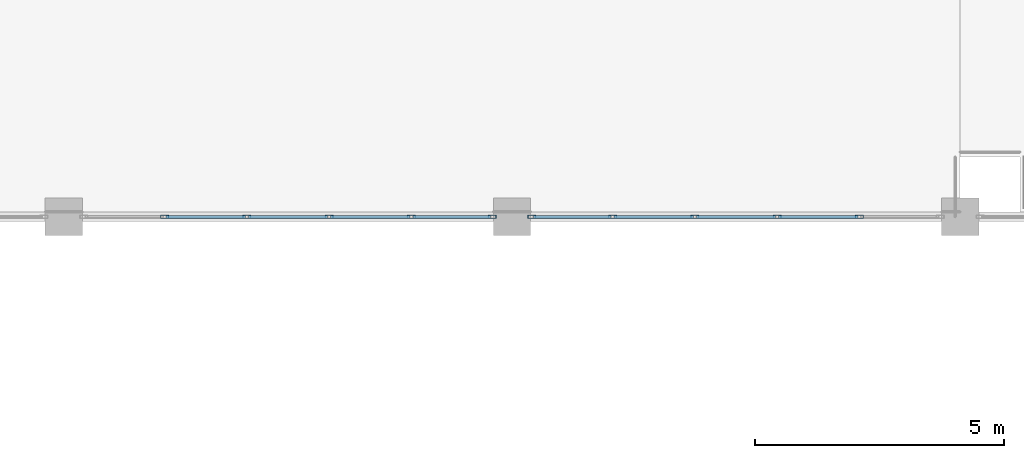
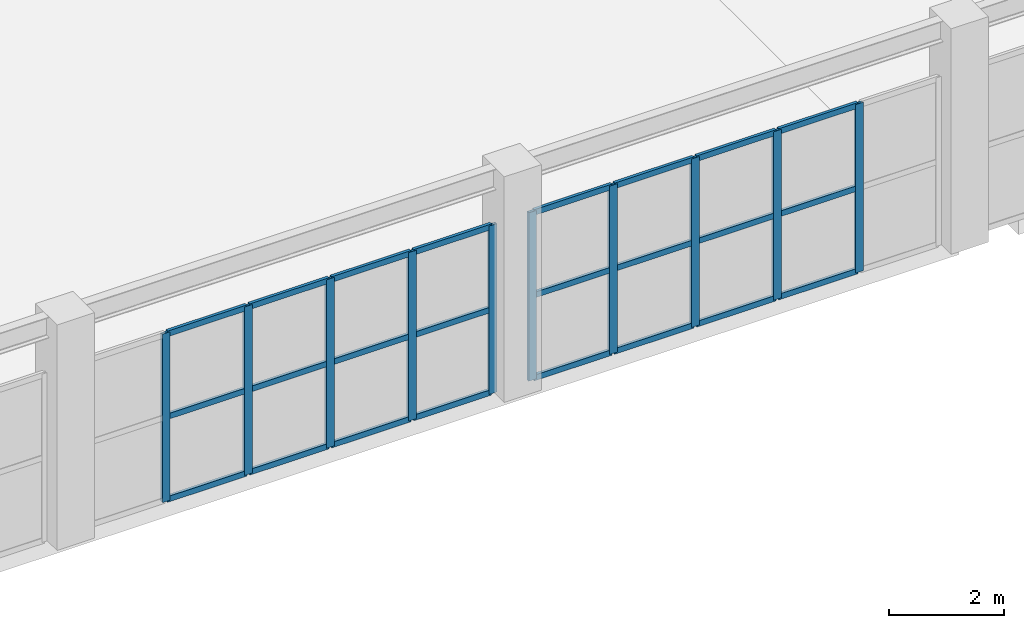
# One storey, part 6 of 89: 34 members, 2 elements without a shape of their own.
"""IFC4 building model written with IfcOpenShell, lengths in metres."""

from ifc_helpers import new_model, si_unit, direction, frame, origin, origin_2d, place, context, subcontext, project, spatial, hollow_rectangle, extrude, material, layer, layer_set, material_profile, profile_set, type_object, element, aggregate, save


model = new_model("IFC4")

# Units and contexts
model_context = context("Model", 3, precision=1e-05, world=origin(), true_north=direction((0.0, 1.0)))
body_context = subcontext(model_context, "Body", "Model", "MODEL_VIEW")
ifc_project = project(units=[si_unit("LENGTHUNIT", "METRE"), si_unit("AREAUNIT", "SQUARE_METRE"), si_unit("VOLUMEUNIT", "CUBIC_METRE"), si_unit("PLANEANGLEUNIT", "RADIAN"), si_unit("MASSUNIT", "GRAM", prefix="KILO")], contexts=[model_context])

# Site, building, storey
site_placement = place(None, origin())
site = spatial("IfcSite", under=ifc_project, at=site_placement, CompositionType="ELEMENT")
building_placement = place(site_placement, origin())
building = spatial("IfcBuilding", under=site, at=building_placement, Name="Dornveld Trade and Exhibition Forum", CompositionType="ELEMENT")
storey_placement = place(building_placement, frame((0.0, 0.0, 12.0)))
storey = spatial("IfcBuildingStorey", under=building, at=storey_placement, Name="L02", CompositionType="ELEMENT", Elevation=12.0)

# Curtain wall, members
ifc_material_1 = material(Name="Dark-bronze anodised aluminium and low-E glass", Category="aluminium")
ifc_layer_1 = layer(ifc_material_1, 0.15087890625)
ifc_layer_set_1 = layer_set([ifc_layer_1], Name="Dark-bronze anodised aluminium and low-E glass")
curtain_wall_type_1 = type_object("IfcCurtainWallType", Name="CW-SYS-03", PredefinedType="USERDEFINED", material=ifc_layer_set_1)
curtain_wall_1_placement = place(storey_placement, origin())
curtain_wall_1 = element("IfcCurtainWall", 1, at=curtain_wall_1_placement, inside=storey, type_object=curtain_wall_type_1, Name="L02 unitised curtain wall 21", ObjectType="UNITISED_CURTAIN_WALL", PredefinedType="USERDEFINED")
ifc_material_2 = material(Name="Dark-bronze anodised aluminium", Category="aluminium")
ifc_material_profile_1 = material_profile(ifc_material_2, hollow_rectangle(XDim=0.06005859375, YDim=0.159912109375, WallThickness=0.00390625, at=origin_2d()), Name="RHS 160x60x4")
ifc_profile_set_1 = profile_set([ifc_material_profile_1], Name="Dark-bronze anodised aluminium")
member_type_1 = type_object("IfcMemberType", Name="CW-MUL-160", PredefinedType="MULLION", material=ifc_profile_set_1)
member_1_placement = place(storey_placement, frame((38.022705078125, 36.0, -0.00390625), z_axis=(0.0, 0.0, 1.0), x_axis=(0.0, 1.0, 0.0)))
member_1 = element("IfcMember", 2, at=member_1_placement, type_object=member_type_1, Name="CW-03 mullion 2", PredefinedType="MULLION", context=body_context, shape_type="SweptSolid", body=[
    extrude(hollow_rectangle(XDim=0.06005859375, YDim=0.159912109375, WallThickness=0.00390625, at=origin_2d()), origin(), (0.0, 0.0, 1.0), 3.583984375),
])
member_2_placement = place(storey_placement, frame((39.67431640625, 36.0, -0.00390625), z_axis=(0.0, 0.0, 1.0), x_axis=(0.0, 1.0, 0.0)))
member_2 = element("IfcMember", 3, at=member_2_placement, type_object=member_type_1, Name="CW-03 mullion 3", PredefinedType="MULLION", context=body_context, shape_type="SweptSolid", body=[
    extrude(hollow_rectangle(XDim=0.06005859375, YDim=0.159912109375, WallThickness=0.00390625, at=origin_2d()), origin(), (0.0, 0.0, 1.0), 3.583984375),
])
member_3_placement = place(storey_placement, frame((41.32568359375, 36.0, -0.00390625), z_axis=(0.0, 0.0, 1.0), x_axis=(0.0, 1.0, 0.0)))
member_3 = element("IfcMember", 4, at=member_3_placement, type_object=member_type_1, Name="CW-03 mullion 4", PredefinedType="MULLION", context=body_context, shape_type="SweptSolid", body=[
    extrude(hollow_rectangle(XDim=0.06005859375, YDim=0.159912109375, WallThickness=0.00390625, at=origin_2d()), origin(), (0.0, 0.0, 1.0), 3.583984375),
])
member_4_placement = place(storey_placement, frame((42.977294921875, 36.0, -0.00390625), z_axis=(0.0, 0.0, 1.0), x_axis=(0.0, 1.0, 0.0)))
member_4 = element("IfcMember", 5, at=member_4_placement, type_object=member_type_1, Name="CW-03 mullion 5", PredefinedType="MULLION", context=body_context, shape_type="SweptSolid", body=[
    extrude(hollow_rectangle(XDim=0.06005859375, YDim=0.159912109375, WallThickness=0.00390625, at=origin_2d()), origin(), (0.0, 0.0, 1.0), 3.583984375),
])
member_5_placement = place(storey_placement, frame((44.59912109375, 36.0, -0.00390625), z_axis=(0.0, 0.0, 1.0), x_axis=(0.0, 1.0, 0.0)))
member_5 = element("IfcMember", 6, at=member_5_placement, type_object=member_type_1, Name="CW-03 mullion 6", PredefinedType="MULLION", context=body_context, shape_type="SweptSolid", body=[
    extrude(hollow_rectangle(XDim=0.06005859375, YDim=0.159912109375, WallThickness=0.00390625, at=origin_2d()), origin(), (0.0, 0.0, 1.0), 3.583984375),
])

ifc_material_3 = material(Name="Dark-bronze anodised aluminium and low-E glass", Category="aluminium")
ifc_layer_2 = layer(ifc_material_3, 0.156982421875)
ifc_layer_set_2 = layer_set([ifc_layer_2], Name="Dark-bronze anodised aluminium and low-E glass")
curtain_wall_type_2 = type_object("IfcCurtainWallType", Name="CW-SYS-05", PredefinedType="USERDEFINED", material=ifc_layer_set_2)
curtain_wall_2_placement = place(storey_placement, origin())
curtain_wall_2 = element("IfcCurtainWall", 7, at=curtain_wall_2_placement, inside=storey, type_object=curtain_wall_type_2, Name="L02 unitised curtain wall 23", ObjectType="UNITISED_CURTAIN_WALL", PredefinedType="USERDEFINED")
member_6_placement = place(storey_placement, frame((45.40087890625, 36.0, -0.00390625), z_axis=(0.0, 0.0, 1.0), x_axis=(0.0, 1.0, 0.0)))
member_6 = element("IfcMember", 8, at=member_6_placement, type_object=member_type_1, Name="CW-05 mullion 1", PredefinedType="MULLION", context=body_context, shape_type="SweptSolid", body=[
    extrude(hollow_rectangle(XDim=0.06005859375, YDim=0.159912109375, WallThickness=0.00390625, at=origin_2d()), origin(), (0.0, 0.0, 1.0), 3.583984375),
])
member_7_placement = place(storey_placement, frame((47.022705078125, 36.0, -0.00390625), z_axis=(0.0, 0.0, 1.0), x_axis=(0.0, 1.0, 0.0)))
member_7 = element("IfcMember", 9, at=member_7_placement, type_object=member_type_1, Name="CW-05 mullion 2", PredefinedType="MULLION", context=body_context, shape_type="SweptSolid", body=[
    extrude(hollow_rectangle(XDim=0.06005859375, YDim=0.159912109375, WallThickness=0.00390625, at=origin_2d()), origin(), (0.0, 0.0, 1.0), 3.583984375),
])
member_8_placement = place(storey_placement, frame((48.67431640625, 36.0, -0.00390625), z_axis=(0.0, 0.0, 1.0), x_axis=(0.0, 1.0, 0.0)))
member_8 = element("IfcMember", 10, at=member_8_placement, type_object=member_type_1, Name="CW-05 mullion 3", PredefinedType="MULLION", context=body_context, shape_type="SweptSolid", body=[
    extrude(hollow_rectangle(XDim=0.06005859375, YDim=0.159912109375, WallThickness=0.00390625, at=origin_2d()), origin(), (0.0, 0.0, 1.0), 3.583984375),
])
member_9_placement = place(storey_placement, frame((50.32568359375, 36.0, -0.00390625), z_axis=(0.0, 0.0, 1.0), x_axis=(0.0, 1.0, 0.0)))
member_9 = element("IfcMember", 11, at=member_9_placement, type_object=member_type_1, Name="CW-05 mullion 4", PredefinedType="MULLION", context=body_context, shape_type="SweptSolid", body=[
    extrude(hollow_rectangle(XDim=0.06005859375, YDim=0.159912109375, WallThickness=0.00390625, at=origin_2d()), origin(), (0.0, 0.0, 1.0), 3.583984375),
])
member_10_placement = place(storey_placement, frame((51.977294921875, 36.0, -0.00390625), z_axis=(0.0, 0.0, 1.0), x_axis=(0.0, 1.0, 0.0)))
member_10 = element("IfcMember", 12, at=member_10_placement, type_object=member_type_1, Name="CW-05 mullion 5", PredefinedType="MULLION", context=body_context, shape_type="SweptSolid", body=[
    extrude(hollow_rectangle(XDim=0.06005859375, YDim=0.159912109375, WallThickness=0.00390625, at=origin_2d()), origin(), (0.0, 0.0, 1.0), 3.583984375),
])

# Member
ifc_material_4 = material(Name="Dark-bronze anodised aluminium", Category="aluminium")
ifc_material_profile_2 = material_profile(ifc_material_4, hollow_rectangle(XDim=0.06005859375, YDim=0.1201171875, WallThickness=0.00390625, at=origin_2d()), Name="RHS 120x60x4")
ifc_profile_set_2 = profile_set([ifc_material_profile_2], Name="Dark-bronze anodised aluminium")
member_type_2 = type_object("IfcMemberType", Name="CW-TRN-120", PredefinedType="USERDEFINED", material=ifc_profile_set_2)
member_11_placement = place(storey_placement, frame((38.052490234375, 36.0, 0.02587890625), z_axis=(1.0, 0.0, 0.0), x_axis=(0.0, 1.0, 0.0)))
member_11 = element("IfcMember", 13, at=member_11_placement, type_object=member_type_2, Name="CW-03 transom 2.1", ObjectType="TRANSOM", PredefinedType="USERDEFINED", context=body_context, shape_type="SweptSolid", body=[
    extrude(hollow_rectangle(XDim=0.06005859375, YDim=0.1201171875, WallThickness=0.00390625, at=origin_2d()), origin(), (0.0, 0.0, 1.0), 1.591796875),
])

member_12_placement = place(storey_placement, frame((38.052490234375, 36.0, 1.7880859375), z_axis=(1.0, 0.0, 0.0), x_axis=(0.0, 1.0, 0.0)))
member_12 = element("IfcMember", 14, at=member_12_placement, type_object=member_type_2, Name="CW-03 transom 2.2", ObjectType="TRANSOM", PredefinedType="USERDEFINED", context=body_context, shape_type="SweptSolid", body=[
    extrude(hollow_rectangle(XDim=0.06005859375, YDim=0.1201171875, WallThickness=0.00390625, at=origin_2d()), origin(), (0.0, 0.0, 1.0), 1.591796875),
])

member_13_placement = place(storey_placement, frame((38.052490234375, 36.0, 3.550048828125), z_axis=(1.0, 0.0, 0.0), x_axis=(0.0, 1.0, 0.0)))
member_13 = element("IfcMember", 15, at=member_13_placement, type_object=member_type_2, Name="CW-03 transom 2.3", ObjectType="TRANSOM", PredefinedType="USERDEFINED", context=body_context, shape_type="SweptSolid", body=[
    extrude(hollow_rectangle(XDim=0.06005859375, YDim=0.1201171875, WallThickness=0.00390625, at=origin_2d()), origin(), (0.0, 0.0, 1.0), 1.591796875),
])

member_14_placement = place(storey_placement, frame((39.7041015625, 36.0, 0.02587890625), z_axis=(1.0, 0.0, 0.0), x_axis=(0.0, 1.0, 0.0)))
member_14 = element("IfcMember", 16, at=member_14_placement, type_object=member_type_2, Name="CW-03 transom 3.1", ObjectType="TRANSOM", PredefinedType="USERDEFINED", context=body_context, shape_type="SweptSolid", body=[
    extrude(hollow_rectangle(XDim=0.06005859375, YDim=0.1201171875, WallThickness=0.00390625, at=origin_2d()), origin(), (0.0, 0.0, 1.0), 1.591796875),
])

member_15_placement = place(storey_placement, frame((39.7041015625, 36.0, 1.7880859375), z_axis=(1.0, 0.0, 0.0), x_axis=(0.0, 1.0, 0.0)))
member_15 = element("IfcMember", 17, at=member_15_placement, type_object=member_type_2, Name="CW-03 transom 3.2", ObjectType="TRANSOM", PredefinedType="USERDEFINED", context=body_context, shape_type="SweptSolid", body=[
    extrude(hollow_rectangle(XDim=0.06005859375, YDim=0.1201171875, WallThickness=0.00390625, at=origin_2d()), origin(), (0.0, 0.0, 1.0), 1.591796875),
])

member_16_placement = place(storey_placement, frame((39.7041015625, 36.0, 3.550048828125), z_axis=(1.0, 0.0, 0.0), x_axis=(0.0, 1.0, 0.0)))
member_16 = element("IfcMember", 18, at=member_16_placement, type_object=member_type_2, Name="CW-03 transom 3.3", ObjectType="TRANSOM", PredefinedType="USERDEFINED", context=body_context, shape_type="SweptSolid", body=[
    extrude(hollow_rectangle(XDim=0.06005859375, YDim=0.1201171875, WallThickness=0.00390625, at=origin_2d()), origin(), (0.0, 0.0, 1.0), 1.591796875),
])

member_17_placement = place(storey_placement, frame((41.355712890625, 36.0, 0.02587890625), z_axis=(1.0, 0.0, 0.0), x_axis=(0.0, 1.0, 0.0)))
member_17 = element("IfcMember", 19, at=member_17_placement, type_object=member_type_2, Name="CW-03 transom 4.1", ObjectType="TRANSOM", PredefinedType="USERDEFINED", context=body_context, shape_type="SweptSolid", body=[
    extrude(hollow_rectangle(XDim=0.06005859375, YDim=0.1201171875, WallThickness=0.00390625, at=origin_2d()), origin(), (0.0, 0.0, 1.0), 1.591796875),
])

member_18_placement = place(storey_placement, frame((41.355712890625, 36.0, 1.7880859375), z_axis=(1.0, 0.0, 0.0), x_axis=(0.0, 1.0, 0.0)))
member_18 = element("IfcMember", 20, at=member_18_placement, type_object=member_type_2, Name="CW-03 transom 4.2", ObjectType="TRANSOM", PredefinedType="USERDEFINED", context=body_context, shape_type="SweptSolid", body=[
    extrude(hollow_rectangle(XDim=0.06005859375, YDim=0.1201171875, WallThickness=0.00390625, at=origin_2d()), origin(), (0.0, 0.0, 1.0), 1.591796875),
])

member_19_placement = place(storey_placement, frame((41.355712890625, 36.0, 3.550048828125), z_axis=(1.0, 0.0, 0.0), x_axis=(0.0, 1.0, 0.0)))
member_19 = element("IfcMember", 21, at=member_19_placement, type_object=member_type_2, Name="CW-03 transom 4.3", ObjectType="TRANSOM", PredefinedType="USERDEFINED", context=body_context, shape_type="SweptSolid", body=[
    extrude(hollow_rectangle(XDim=0.06005859375, YDim=0.1201171875, WallThickness=0.00390625, at=origin_2d()), origin(), (0.0, 0.0, 1.0), 1.591796875),
])

member_20_placement = place(storey_placement, frame((43.00732421875, 36.0, 0.02587890625), z_axis=(1.0, 0.0, 0.0), x_axis=(0.0, 1.0, 0.0)))
member_20 = element("IfcMember", 22, at=member_20_placement, type_object=member_type_2, Name="CW-03 transom 5.1", ObjectType="TRANSOM", PredefinedType="USERDEFINED", context=body_context, shape_type="SweptSolid", body=[
    extrude(hollow_rectangle(XDim=0.06005859375, YDim=0.1201171875, WallThickness=0.00390625, at=origin_2d()), origin(), (0.0, 0.0, 1.0), 1.561767578125),
])

member_21_placement = place(storey_placement, frame((43.00732421875, 36.0, 1.7880859375), z_axis=(1.0, 0.0, 0.0), x_axis=(0.0, 1.0, 0.0)))
member_21 = element("IfcMember", 23, at=member_21_placement, type_object=member_type_2, Name="CW-03 transom 5.2", ObjectType="TRANSOM", PredefinedType="USERDEFINED", context=body_context, shape_type="SweptSolid", body=[
    extrude(hollow_rectangle(XDim=0.06005859375, YDim=0.1201171875, WallThickness=0.00390625, at=origin_2d()), origin(), (0.0, 0.0, 1.0), 1.561767578125),
])

member_22_placement = place(storey_placement, frame((43.00732421875, 36.0, 3.550048828125), z_axis=(1.0, 0.0, 0.0), x_axis=(0.0, 1.0, 0.0)))
member_22 = element("IfcMember", 24, at=member_22_placement, type_object=member_type_2, Name="CW-03 transom 5.3", ObjectType="TRANSOM", PredefinedType="USERDEFINED", context=body_context, shape_type="SweptSolid", body=[
    extrude(hollow_rectangle(XDim=0.06005859375, YDim=0.1201171875, WallThickness=0.00390625, at=origin_2d()), origin(), (0.0, 0.0, 1.0), 1.561767578125),
])

aggregate(curtain_wall_1, [member_1, member_2, member_3, member_4, member_5, member_11, member_12, member_13, member_14, member_15, member_16, member_17, member_18, member_19, member_20, member_21, member_22])

member_23_placement = place(storey_placement, frame((45.430908203125, 36.0, 0.02587890625), z_axis=(1.0, 0.0, 0.0), x_axis=(0.0, 1.0, 0.0)))
member_23 = element("IfcMember", 25, at=member_23_placement, type_object=member_type_2, Name="CW-05 transom 1.1", ObjectType="TRANSOM", PredefinedType="USERDEFINED", context=body_context, shape_type="SweptSolid", body=[
    extrude(hollow_rectangle(XDim=0.06005859375, YDim=0.1201171875, WallThickness=0.00390625, at=origin_2d()), origin(), (0.0, 0.0, 1.0), 1.561767578125),
])

member_24_placement = place(storey_placement, frame((45.430908203125, 36.0, 1.7880859375), z_axis=(1.0, 0.0, 0.0), x_axis=(0.0, 1.0, 0.0)))
member_24 = element("IfcMember", 26, at=member_24_placement, type_object=member_type_2, Name="CW-05 transom 1.2", ObjectType="TRANSOM", PredefinedType="USERDEFINED", context=body_context, shape_type="SweptSolid", body=[
    extrude(hollow_rectangle(XDim=0.06005859375, YDim=0.1201171875, WallThickness=0.00390625, at=origin_2d()), origin(), (0.0, 0.0, 1.0), 1.561767578125),
])

member_25_placement = place(storey_placement, frame((45.430908203125, 36.0, 3.550048828125), z_axis=(1.0, 0.0, 0.0), x_axis=(0.0, 1.0, 0.0)))
member_25 = element("IfcMember", 27, at=member_25_placement, type_object=member_type_2, Name="CW-05 transom 1.3", ObjectType="TRANSOM", PredefinedType="USERDEFINED", context=body_context, shape_type="SweptSolid", body=[
    extrude(hollow_rectangle(XDim=0.06005859375, YDim=0.1201171875, WallThickness=0.00390625, at=origin_2d()), origin(), (0.0, 0.0, 1.0), 1.561767578125),
])

member_26_placement = place(storey_placement, frame((47.052490234375, 36.0, 0.02587890625), z_axis=(1.0, 0.0, 0.0), x_axis=(0.0, 1.0, 0.0)))
member_26 = element("IfcMember", 28, at=member_26_placement, type_object=member_type_2, Name="CW-05 transom 2.1", ObjectType="TRANSOM", PredefinedType="USERDEFINED", context=body_context, shape_type="SweptSolid", body=[
    extrude(hollow_rectangle(XDim=0.06005859375, YDim=0.1201171875, WallThickness=0.00390625, at=origin_2d()), origin(), (0.0, 0.0, 1.0), 1.591796875),
])

member_27_placement = place(storey_placement, frame((47.052490234375, 36.0, 1.7880859375), z_axis=(1.0, 0.0, 0.0), x_axis=(0.0, 1.0, 0.0)))
member_27 = element("IfcMember", 29, at=member_27_placement, type_object=member_type_2, Name="CW-05 transom 2.2", ObjectType="TRANSOM", PredefinedType="USERDEFINED", context=body_context, shape_type="SweptSolid", body=[
    extrude(hollow_rectangle(XDim=0.06005859375, YDim=0.1201171875, WallThickness=0.00390625, at=origin_2d()), origin(), (0.0, 0.0, 1.0), 1.591796875),
])

member_28_placement = place(storey_placement, frame((47.052490234375, 36.0, 3.550048828125), z_axis=(1.0, 0.0, 0.0), x_axis=(0.0, 1.0, 0.0)))
member_28 = element("IfcMember", 30, at=member_28_placement, type_object=member_type_2, Name="CW-05 transom 2.3", ObjectType="TRANSOM", PredefinedType="USERDEFINED", context=body_context, shape_type="SweptSolid", body=[
    extrude(hollow_rectangle(XDim=0.06005859375, YDim=0.1201171875, WallThickness=0.00390625, at=origin_2d()), origin(), (0.0, 0.0, 1.0), 1.591796875),
])

member_29_placement = place(storey_placement, frame((48.7041015625, 36.0, 0.02587890625), z_axis=(1.0, 0.0, 0.0), x_axis=(0.0, 1.0, 0.0)))
member_29 = element("IfcMember", 31, at=member_29_placement, type_object=member_type_2, Name="CW-05 transom 3.1", ObjectType="TRANSOM", PredefinedType="USERDEFINED", context=body_context, shape_type="SweptSolid", body=[
    extrude(hollow_rectangle(XDim=0.06005859375, YDim=0.1201171875, WallThickness=0.00390625, at=origin_2d()), origin(), (0.0, 0.0, 1.0), 1.591796875),
])

member_30_placement = place(storey_placement, frame((48.7041015625, 36.0, 1.7880859375), z_axis=(1.0, 0.0, 0.0), x_axis=(0.0, 1.0, 0.0)))
member_30 = element("IfcMember", 32, at=member_30_placement, type_object=member_type_2, Name="CW-05 transom 3.2", ObjectType="TRANSOM", PredefinedType="USERDEFINED", context=body_context, shape_type="SweptSolid", body=[
    extrude(hollow_rectangle(XDim=0.06005859375, YDim=0.1201171875, WallThickness=0.00390625, at=origin_2d()), origin(), (0.0, 0.0, 1.0), 1.591796875),
])

member_31_placement = place(storey_placement, frame((48.7041015625, 36.0, 3.550048828125), z_axis=(1.0, 0.0, 0.0), x_axis=(0.0, 1.0, 0.0)))
member_31 = element("IfcMember", 33, at=member_31_placement, type_object=member_type_2, Name="CW-05 transom 3.3", ObjectType="TRANSOM", PredefinedType="USERDEFINED", context=body_context, shape_type="SweptSolid", body=[
    extrude(hollow_rectangle(XDim=0.06005859375, YDim=0.1201171875, WallThickness=0.00390625, at=origin_2d()), origin(), (0.0, 0.0, 1.0), 1.591796875),
])

member_32_placement = place(storey_placement, frame((50.355712890625, 36.0, 0.02587890625), z_axis=(1.0, 0.0, 0.0), x_axis=(0.0, 1.0, 0.0)))
member_32 = element("IfcMember", 34, at=member_32_placement, type_object=member_type_2, Name="CW-05 transom 4.1", ObjectType="TRANSOM", PredefinedType="USERDEFINED", context=body_context, shape_type="SweptSolid", body=[
    extrude(hollow_rectangle(XDim=0.06005859375, YDim=0.1201171875, WallThickness=0.00390625, at=origin_2d()), origin(), (0.0, 0.0, 1.0), 1.591796875),
])

member_33_placement = place(storey_placement, frame((50.355712890625, 36.0, 1.7880859375), z_axis=(1.0, 0.0, 0.0), x_axis=(0.0, 1.0, 0.0)))
member_33 = element("IfcMember", 35, at=member_33_placement, type_object=member_type_2, Name="CW-05 transom 4.2", ObjectType="TRANSOM", PredefinedType="USERDEFINED", context=body_context, shape_type="SweptSolid", body=[
    extrude(hollow_rectangle(XDim=0.06005859375, YDim=0.1201171875, WallThickness=0.00390625, at=origin_2d()), origin(), (0.0, 0.0, 1.0), 1.591796875),
])

member_34_placement = place(storey_placement, frame((50.355712890625, 36.0, 3.550048828125), z_axis=(1.0, 0.0, 0.0), x_axis=(0.0, 1.0, 0.0)))
member_34 = element("IfcMember", 36, at=member_34_placement, type_object=member_type_2, Name="CW-05 transom 4.3", ObjectType="TRANSOM", PredefinedType="USERDEFINED", context=body_context, shape_type="SweptSolid", body=[
    extrude(hollow_rectangle(XDim=0.06005859375, YDim=0.1201171875, WallThickness=0.00390625, at=origin_2d()), origin(), (0.0, 0.0, 1.0), 1.591796875),
])

aggregate(curtain_wall_2, [member_6, member_7, member_8, member_9, member_10, member_23, member_24, member_25, member_26, member_27, member_28, member_29, member_30, member_31, member_32, member_33, member_34])

save(model, "model.ifc")
